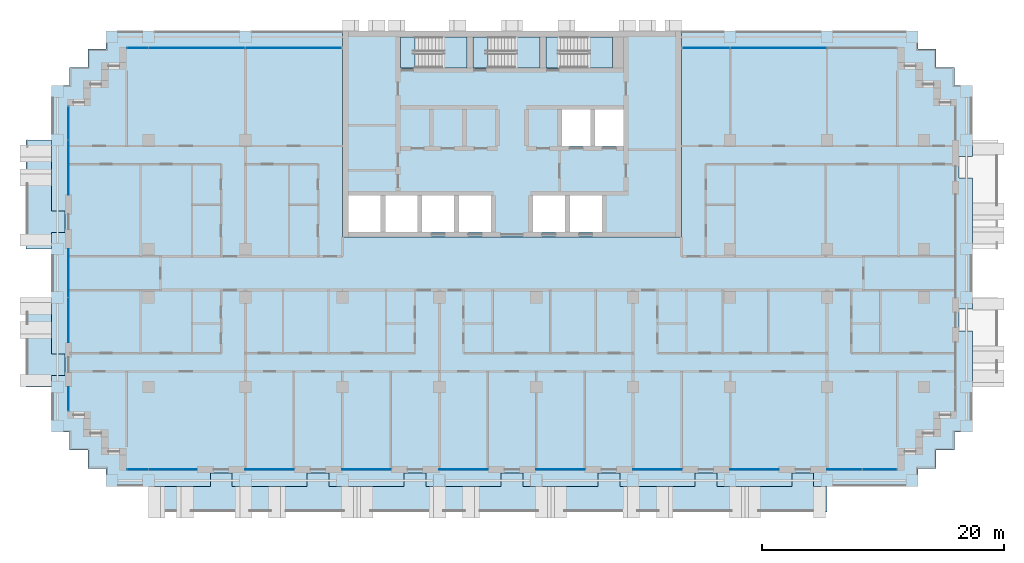
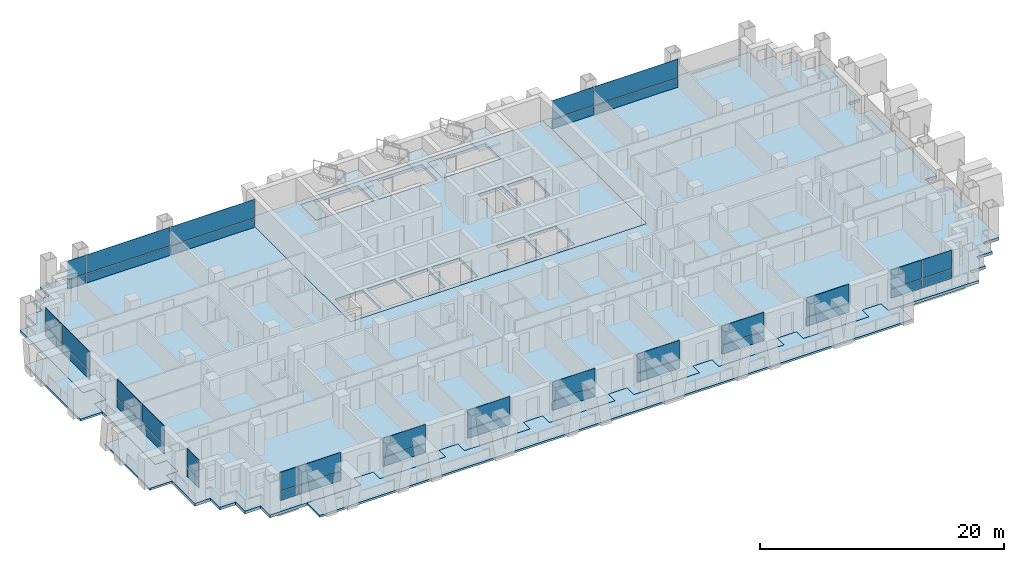
# One storey, part 7 of 19: 40 plates, 11 slabs, 16 elements without a shape of their own.
"""IFC4 building model written with IfcOpenShell, lengths in metres."""

from ifc_helpers import new_model, si_unit, direction, frame, origin, origin_2d, place, context, subcontext, project, spatial, polyline, rectangle, outline, extrude, material, layer, layer_set, type_object, element, aggregate, save


model = new_model("IFC4")

# Units and contexts
model_context = context("Model", 3, precision=1e-05, world=origin(), true_north=direction((0.0, 1.0)))
body_context = subcontext(model_context, "Body", "Model", "MODEL_VIEW")
ifc_project = project(units=[si_unit("LENGTHUNIT", "METRE"), si_unit("AREAUNIT", "SQUARE_METRE"), si_unit("VOLUMEUNIT", "CUBIC_METRE"), si_unit("PLANEANGLEUNIT", "RADIAN"), si_unit("MASSUNIT", "GRAM", prefix="KILO")], contexts=[model_context])

# Site, building, storey
site_placement = place(None, origin())
site = spatial("IfcSite", under=ifc_project, at=site_placement, CompositionType="ELEMENT")
building_placement = place(site_placement, origin())
building = spatial("IfcBuilding", under=site, at=building_placement, Name="Vidyagriha Tower", CompositionType="ELEMENT")
storey_placement = place(building_placement, frame((0.0, 0.0, 60.800048828125)))
storey = spatial("IfcBuildingStorey", under=building, at=storey_placement, Name="L16", CompositionType="ELEMENT", Elevation=60.800048828125)

# Curtain wall, plate
ifc_material_1 = material(Name="Aluminium and glass curtain wall", Category="aluminium")
curtain_wall_type = type_object("IfcCurtainWallType", Name="Dwelling skin unitised curtain wall", PredefinedType="USERDEFINED", material=ifc_material_1)
curtain_wall_1_placement = place(storey_placement, origin())
curtain_wall_1 = element("IfcCurtainWall", 1, at=curtain_wall_1_placement, inside=storey, type_object=curtain_wall_type, Name="CW1 dwelling skin", ObjectType="UNITISED", PredefinedType="USERDEFINED")
ifc_material_2 = material(Name="Glass dark ceramic-fritted spandrel", Category="glass")
ifc_layer_1 = layer(ifc_material_2, 0.0400390625)
ifc_layer_set_1 = layer_set([ifc_layer_1], Name="Glass dark ceramic-fritted spandrel")
plate_type_1 = type_object("IfcPlateType", Name="Ceramic-fritted spandrel panel", PredefinedType="CURTAIN_PANEL", material=ifc_layer_set_1)
plate_1_placement = place(storey_placement, frame((16.017578125, 18.60009765625, 0.0), z_axis=(0.0, 0.0, 1.0), x_axis=(-1.0, 0.0, 0.0)))
plate_1 = element("IfcPlate", 2, at=plate_1_placement, type_object=plate_type_1, Name="CW1 panel 3.1", PredefinedType="CURTAIN_PANEL", context=body_context, shape_type="SweptSolid", body=[
    extrude(rectangle(XDim=3.89501953125, YDim=0.0400390625, at=origin_2d()), origin(), (0.0, 0.0, 1.0), 0.85009765625),
])

# Curtain wall, plates
curtain_wall_2_placement = place(storey_placement, origin())
curtain_wall_2 = element("IfcCurtainWall", 3, at=curtain_wall_2_placement, inside=storey, type_object=curtain_wall_type, Name="CW1 dwelling skin", ObjectType="UNITISED", PredefinedType="USERDEFINED")
plate_2_placement = place(storey_placement, frame((-18.017578125, 18.60009765625, 0.0), z_axis=(0.0, 0.0, 1.0), x_axis=(-1.0, 0.0, 0.0)))
plate_2 = element("IfcPlate", 4, at=plate_2_placement, type_object=plate_type_1, Name="CW1 panel 1.1", PredefinedType="CURTAIN_PANEL", context=body_context, shape_type="SweptSolid", body=[
    extrude(rectangle(XDim=7.89501953125, YDim=0.0400390625, at=origin_2d()), origin(), (0.0, 0.0, 1.0), 0.85009765625),
])
plate_3_placement = place(storey_placement, frame((-30.882568359375, 18.60009765625, 0.0), z_axis=(0.0, 0.0, 1.0), x_axis=(-1.0, 0.0, 0.0)))
plate_3 = element("IfcPlate", 5, at=plate_3_placement, type_object=plate_type_1, Name="CW1 panel 3.1", PredefinedType="CURTAIN_PANEL", context=body_context, shape_type="SweptSolid", body=[
    extrude(rectangle(XDim=1.695068359375, YDim=0.0400390625, at=origin_2d()), origin(), (0.0, 0.0, 1.0), 0.85009765625),
])

curtain_wall_3_placement = place(storey_placement, origin())
curtain_wall_3 = element("IfcCurtainWall", 6, at=curtain_wall_3_placement, inside=storey, type_object=curtain_wall_type, Name="CW1 dwelling skin", ObjectType="UNITISED", PredefinedType="USERDEFINED")
plate_4_placement = place(storey_placement, frame((-36.60009765625, 12.382568359375, 0.0), z_axis=(0.0, 0.0, 1.0), x_axis=(0.0, -1.0, 0.0)))
plate_4 = element("IfcPlate", 7, at=plate_4_placement, type_object=plate_type_1, Name="CW1 panel 1.1", PredefinedType="CURTAIN_PANEL", context=body_context, shape_type="SweptSolid", body=[
    extrude(rectangle(XDim=2.695068359375, YDim=0.0400390625, at=origin_2d()), origin(), (0.0, 0.0, 1.0), 0.85009765625),
])
plate_5_placement = place(storey_placement, frame((-36.60009765625, 8.732421875, 0.0), z_axis=(0.0, 0.0, 1.0), x_axis=(0.0, -1.0, 0.0)))
plate_5 = element("IfcPlate", 8, at=plate_5_placement, type_object=plate_type_1, Name="CW1 panel 2.1", PredefinedType="CURTAIN_PANEL", context=body_context, shape_type="SweptSolid", body=[
    extrude(rectangle(XDim=4.465087890625, YDim=0.0400390625, at=origin_2d()), origin(), (0.0, 0.0, 1.0), 0.85009765625),
])

# Curtain wall, plate
curtain_wall_4_placement = place(storey_placement, origin())
curtain_wall_4 = element("IfcCurtainWall", 9, at=curtain_wall_4_placement, inside=storey, type_object=curtain_wall_type, Name="CW1 dwelling skin", ObjectType="UNITISED", PredefinedType="USERDEFINED")
plate_6_placement = place(storey_placement, frame((-36.60009765625, -10.364990234375, 0.0), z_axis=(0.0, 0.0, 1.0), x_axis=(0.0, -1.0, 0.0)))
plate_6 = element("IfcPlate", 10, at=plate_6_placement, type_object=plate_type_1, Name="CW1 panel 1.1", PredefinedType="CURTAIN_PANEL", context=body_context, shape_type="SweptSolid", body=[
    extrude(rectangle(XDim=1.929931640625, YDim=0.0400390625, at=origin_2d()), origin(), (0.0, 0.0, 1.0), 0.85009765625),
])

# Curtain wall, plates
curtain_wall_5_placement = place(storey_placement, origin())
curtain_wall_5 = element("IfcCurtainWall", 11, at=curtain_wall_5_placement, inside=storey, type_object=curtain_wall_type, Name="CW1 dwelling skin", ObjectType="UNITISED", PredefinedType="USERDEFINED")
plate_7_placement = place(storey_placement, frame((-30.882568359375, -16.199951171875, 0.0)))
plate_7 = element("IfcPlate", 12, at=plate_7_placement, type_object=plate_type_1, Name="CW1 panel 1.1", PredefinedType="CURTAIN_PANEL", context=body_context, shape_type="SweptSolid", body=[
    extrude(rectangle(XDim=1.695068359375, YDim=0.0400390625, at=origin_2d()), origin(), (0.0, 0.0, 1.0), 0.85009765625),
])
plate_8_placement = place(storey_placement, frame((-27.982421875, -16.199951171875, 0.0)))
plate_8 = element("IfcPlate", 13, at=plate_8_placement, type_object=plate_type_1, Name="CW1 panel 2.1", PredefinedType="CURTAIN_PANEL", context=body_context, shape_type="SweptSolid", body=[
    extrude(rectangle(XDim=3.965087890625, YDim=0.0400390625, at=origin_2d()), origin(), (0.0, 0.0, 1.0), 0.85009765625),
])

# Curtain wall, plate
curtain_wall_6_placement = place(storey_placement, origin())
curtain_wall_6 = element("IfcCurtainWall", 14, at=curtain_wall_6_placement, inside=storey, type_object=curtain_wall_type, Name="CW1 dwelling skin", ObjectType="UNITISED", PredefinedType="USERDEFINED")
plate_9_placement = place(storey_placement, frame((-12.0, -16.199951171875, 0.0)))
plate_9 = element("IfcPlate", 15, at=plate_9_placement, type_object=plate_type_1, Name="CW1 panel 1.1", PredefinedType="CURTAIN_PANEL", context=body_context, shape_type="SweptSolid", body=[
    extrude(rectangle(XDim=4.0, YDim=0.0400390625, at=origin_2d()), origin(), (0.0, 0.0, 1.0), 0.85009765625),
])

curtain_wall_7_placement = place(storey_placement, origin())
curtain_wall_7 = element("IfcCurtainWall", 16, at=curtain_wall_7_placement, inside=storey, type_object=curtain_wall_type, Name="CW1 dwelling skin", ObjectType="UNITISED", PredefinedType="USERDEFINED")
plate_10_placement = place(storey_placement, frame((4.0, -16.199951171875, 0.0)))
plate_10 = element("IfcPlate", 17, at=plate_10_placement, type_object=plate_type_1, Name="CW1 panel 1.1", PredefinedType="CURTAIN_PANEL", context=body_context, shape_type="SweptSolid", body=[
    extrude(rectangle(XDim=4.0, YDim=0.0400390625, at=origin_2d()), origin(), (0.0, 0.0, 1.0), 0.85009765625),
])

curtain_wall_8_placement = place(storey_placement, origin())
curtain_wall_8 = element("IfcCurtainWall", 18, at=curtain_wall_8_placement, inside=storey, type_object=curtain_wall_type, Name="CW1 dwelling skin", ObjectType="UNITISED", PredefinedType="USERDEFINED")
plate_11_placement = place(storey_placement, frame((20.0, -16.199951171875, 0.0)))
plate_11 = element("IfcPlate", 19, at=plate_11_placement, type_object=plate_type_1, Name="CW1 panel 1.1", PredefinedType="CURTAIN_PANEL", context=body_context, shape_type="SweptSolid", body=[
    extrude(rectangle(XDim=4.0, YDim=0.0400390625, at=origin_2d()), origin(), (0.0, 0.0, 1.0), 0.85009765625),
])

curtain_wall_9_placement = place(storey_placement, origin())
curtain_wall_9 = element("IfcCurtainWall", 20, at=curtain_wall_9_placement, inside=storey, type_object=curtain_wall_type, Name="CW1 dwelling skin", ObjectType="UNITISED", PredefinedType="USERDEFINED")
plate_12_placement = place(storey_placement, frame((30.33251953125, -16.199951171875, 0.0)))
plate_12 = element("IfcPlate", 21, at=plate_12_placement, type_object=plate_type_1, Name="CW1 panel 2.1", PredefinedType="CURTAIN_PANEL", context=body_context, shape_type="SweptSolid", body=[
    extrude(rectangle(XDim=2.794921875, YDim=0.0400390625, at=origin_2d()), origin(), (0.0, 0.0, 1.0), 0.85009765625),
])

# Slab
ifc_material_3 = material(Name="Concrete C60/75", Category="concrete")
ifc_layer_2 = layer(ifc_material_3, 0.280029296875)
ifc_layer_set_2 = layer_set([ifc_layer_2], Name="Concrete C60/75")
slab_type_1 = type_object("IfcSlabType", Name="Core floor slab 280 mm", PredefinedType="FLOOR", material=ifc_layer_set_2)
slab_1_placement = place(storey_placement, frame((0.0, 0.0, -0.280029296875)))
element("IfcSlab", 22, at=slab_1_placement, inside=storey, type_object=slab_type_1, Name="L16 core floor 1", PredefinedType="FLOOR", context=body_context, shape_type="SweptSolid", body=[
    extrude(outline(polyline([(-14.0, 3.0), (-14.0, 20.0), (14.0, 20.0), (14.0, 3.0), (-14.0, 3.0)]), holes=[polyline([(9.199951171875, 13.5), (6.86669921875, 13.5), (6.86669921875, 10.5), (9.199951171875, 10.5), (9.199951171875, 13.5)]), polyline([(4.0, 19.5), (2.800048828125, 19.5), (2.800048828125, 16.949951171875), (4.0, 16.949951171875), (8.300048828125, 16.949951171875), (8.300048828125, 19.5), (4.0, 19.5)]), polyline([(7.4111328125, 6.39990234375), (4.7666015625, 6.39990234375), (4.7666015625, 3.39990234375), (7.4111328125, 3.39990234375), (7.4111328125, 6.39990234375)]), polyline([(6.466796875, 13.5), (4.13330078125, 13.5), (4.13330078125, 10.5), (6.466796875, 10.5), (6.466796875, 13.5)]), polyline([(1.72216796875, 6.39990234375), (1.72216796875, 3.39990234375), (4.36669921875, 3.39990234375), (4.36669921875, 6.39990234375), (1.72216796875, 6.39990234375)]), polyline([(-2.0, 16.949951171875), (2.300048828125, 16.949951171875), (2.300048828125, 19.5), (-2.0, 19.5), (-3.199951171875, 19.5), (-3.199951171875, 16.949951171875), (-2.0, 16.949951171875)]), polyline([(-1.72216796875, 6.39990234375), (-4.36669921875, 6.39990234375), (-4.36669921875, 3.39990234375), (-1.72216796875, 3.39990234375), (-1.72216796875, 6.39990234375)]), polyline([(-8.0, 19.5), (-9.199951171875, 19.5), (-9.199951171875, 16.949951171875), (-8.0, 16.949951171875), (-3.699951171875, 16.949951171875), (-3.699951171875, 19.5), (-8.0, 19.5)]), polyline([(-4.7666015625, 6.39990234375), (-7.4111328125, 6.39990234375), (-7.4111328125, 3.39990234375), (-4.7666015625, 3.39990234375), (-4.7666015625, 6.39990234375)]), polyline([(-7.81103515625, 6.39990234375), (-10.45556640625, 6.39990234375), (-10.45556640625, 3.39990234375), (-7.81103515625, 3.39990234375), (-7.81103515625, 6.39990234375)]), polyline([(-13.5, 6.39990234375), (-13.5, 3.39990234375), (-10.855712890625, 3.39990234375), (-10.855712890625, 6.39990234375), (-13.5, 6.39990234375)])]), origin(), (0.0, 0.0, 1.0), 0.280029296875),
])

# Plate
ifc_material_4 = material(Name="Glass dark ceramic-fritted", Category="glass")
ifc_layer_3 = layer(ifc_material_4, 0.028076171875)
ifc_layer_set_3 = layer_set([ifc_layer_3], Name="Glass dark ceramic-fritted")
plate_type_2 = type_object("IfcPlateType", Name="Dark ceramic-fritted vision glass panel", PredefinedType="CURTAIN_PANEL", material=ifc_layer_set_3)
plate_13_placement = place(storey_placement, frame((22.0, 18.60009765625, 0.949951171875), z_axis=(0.0, 0.0, 1.0), x_axis=(-1.0, 0.0, 0.0)))
plate_13 = element("IfcPlate", 23, at=plate_13_placement, type_object=plate_type_2, Name="CW1 panel 2.2", PredefinedType="CURTAIN_PANEL", context=body_context, shape_type="SweptSolid", body=[
    extrude(rectangle(XDim=7.929931640625, YDim=0.028076171875, at=origin_2d()), origin(), (0.0, 0.0, 1.0), 1.85009765625),
])

plate_14_placement = place(storey_placement, frame((16.017578125, 18.60009765625, 0.949951171875), z_axis=(0.0, 0.0, 1.0), x_axis=(-1.0, 0.0, 0.0)))
plate_14 = element("IfcPlate", 24, at=plate_14_placement, type_object=plate_type_2, Name="CW1 panel 3.2", PredefinedType="CURTAIN_PANEL", context=body_context, shape_type="SweptSolid", body=[
    extrude(rectangle(XDim=3.89501953125, YDim=0.028076171875, at=origin_2d()), origin(), (0.0, 0.0, 1.0), 1.85009765625),
])

plate_15_placement = place(storey_placement, frame((-18.017578125, 18.60009765625, 0.949951171875), z_axis=(0.0, 0.0, 1.0), x_axis=(-1.0, 0.0, 0.0)))
plate_15 = element("IfcPlate", 25, at=plate_15_placement, type_object=plate_type_2, Name="CW1 panel 1.2", PredefinedType="CURTAIN_PANEL", context=body_context, shape_type="SweptSolid", body=[
    extrude(rectangle(XDim=7.89501953125, YDim=0.028076171875, at=origin_2d()), origin(), (0.0, 0.0, 1.0), 1.85009765625),
])

plate_16_placement = place(storey_placement, frame((-26.0, 18.60009765625, 0.949951171875), z_axis=(0.0, 0.0, 1.0), x_axis=(-1.0, 0.0, 0.0)))
plate_16 = element("IfcPlate", 26, at=plate_16_placement, type_object=plate_type_2, Name="CW1 panel 2.2", PredefinedType="CURTAIN_PANEL", context=body_context, shape_type="SweptSolid", body=[
    extrude(rectangle(XDim=7.929931640625, YDim=0.028076171875, at=origin_2d()), origin(), (0.0, 0.0, 1.0), 1.85009765625),
])

plate_17_placement = place(storey_placement, frame((-30.882568359375, 18.60009765625, 0.949951171875), z_axis=(0.0, 0.0, 1.0), x_axis=(-1.0, 0.0, 0.0)))
plate_17 = element("IfcPlate", 27, at=plate_17_placement, type_object=plate_type_2, Name="CW1 panel 3.2", PredefinedType="CURTAIN_PANEL", context=body_context, shape_type="SweptSolid", body=[
    extrude(rectangle(XDim=1.695068359375, YDim=0.028076171875, at=origin_2d()), origin(), (0.0, 0.0, 1.0), 1.85009765625),
])

plate_18_placement = place(storey_placement, frame((-36.60009765625, 12.382568359375, 0.949951171875), z_axis=(0.0, 0.0, 1.0), x_axis=(0.0, -1.0, 0.0)))
plate_18 = element("IfcPlate", 28, at=plate_18_placement, type_object=plate_type_2, Name="CW1 panel 1.2", PredefinedType="CURTAIN_PANEL", context=body_context, shape_type="SweptSolid", body=[
    extrude(rectangle(XDim=2.695068359375, YDim=0.028076171875, at=origin_2d()), origin(), (0.0, 0.0, 1.0), 1.85009765625),
])

plate_19_placement = place(storey_placement, frame((-36.60009765625, 8.732421875, 0.949951171875), z_axis=(0.0, 0.0, 1.0), x_axis=(0.0, -1.0, 0.0)))
plate_19 = element("IfcPlate", 29, at=plate_19_placement, type_object=plate_type_2, Name="CW1 panel 2.2", PredefinedType="CURTAIN_PANEL", context=body_context, shape_type="SweptSolid", body=[
    extrude(rectangle(XDim=4.465087890625, YDim=0.028076171875, at=origin_2d()), origin(), (0.0, 0.0, 1.0), 1.85009765625),
])

aggregate(curtain_wall_3, [plate_4, plate_18, plate_5, plate_19])

# Curtain wall, plates
curtain_wall_10_placement = place(storey_placement, origin())
curtain_wall_10 = element("IfcCurtainWall", 30, at=curtain_wall_10_placement, inside=storey, type_object=curtain_wall_type, Name="CW1 dwelling skin", ObjectType="UNITISED", PredefinedType="USERDEFINED")
plate_20_placement = place(storey_placement, frame((-36.60009765625, 0.017578125, 0.949951171875), z_axis=(0.0, 0.0, 1.0), x_axis=(0.0, -1.0, 0.0)))
plate_20 = element("IfcPlate", 31, at=plate_20_placement, type_object=plate_type_2, Name="CW1 panel 1.2", PredefinedType="CURTAIN_PANEL", context=body_context, shape_type="SweptSolid", body=[
    extrude(rectangle(XDim=3.965087890625, YDim=0.028076171875, at=origin_2d()), origin(), (0.0, 0.0, 1.0), 1.85009765625),
])
plate_21_placement = place(storey_placement, frame((-36.60009765625, -3.867431640625, 0.949951171875), z_axis=(0.0, 0.0, 1.0), x_axis=(0.0, -1.0, 0.0)))
plate_21 = element("IfcPlate", 32, at=plate_21_placement, type_object=plate_type_2, Name="CW1 panel 2.2", PredefinedType="CURTAIN_PANEL", context=body_context, shape_type="SweptSolid", body=[
    extrude(rectangle(XDim=3.6650390625, YDim=0.028076171875, at=origin_2d()), origin(), (0.0, 0.0, 1.0), 1.85009765625),
])

# Plate
plate_22_placement = place(storey_placement, frame((-36.60009765625, -10.364990234375, 0.949951171875), z_axis=(0.0, 0.0, 1.0), x_axis=(0.0, -1.0, 0.0)))
plate_22 = element("IfcPlate", 33, at=plate_22_placement, type_object=plate_type_2, Name="CW1 panel 1.2", PredefinedType="CURTAIN_PANEL", context=body_context, shape_type="SweptSolid", body=[
    extrude(rectangle(XDim=1.929931640625, YDim=0.028076171875, at=origin_2d()), origin(), (0.0, 0.0, 1.0), 1.85009765625),
])

aggregate(curtain_wall_4, [plate_6, plate_22])

plate_23_placement = place(storey_placement, frame((-30.882568359375, -16.199951171875, 0.949951171875)))
plate_23 = element("IfcPlate", 34, at=plate_23_placement, type_object=plate_type_2, Name="CW1 panel 1.2", PredefinedType="CURTAIN_PANEL", context=body_context, shape_type="SweptSolid", body=[
    extrude(rectangle(XDim=1.695068359375, YDim=0.028076171875, at=origin_2d()), origin(), (0.0, 0.0, 1.0), 1.85009765625),
])

plate_24_placement = place(storey_placement, frame((-27.982421875, -16.199951171875, 0.949951171875)))
plate_24 = element("IfcPlate", 35, at=plate_24_placement, type_object=plate_type_2, Name="CW1 panel 2.2", PredefinedType="CURTAIN_PANEL", context=body_context, shape_type="SweptSolid", body=[
    extrude(rectangle(XDim=3.965087890625, YDim=0.028076171875, at=origin_2d()), origin(), (0.0, 0.0, 1.0), 1.85009765625),
])

aggregate(curtain_wall_5, [plate_7, plate_23, plate_8, plate_24])

# Curtain wall, plate
curtain_wall_11_placement = place(storey_placement, origin())
curtain_wall_11 = element("IfcCurtainWall", 36, at=curtain_wall_11_placement, inside=storey, type_object=curtain_wall_type, Name="CW1 dwelling skin", ObjectType="UNITISED", PredefinedType="USERDEFINED")
plate_25_placement = place(storey_placement, frame((-20.0, -16.199951171875, 0.949951171875)))
plate_25 = element("IfcPlate", 37, at=plate_25_placement, type_object=plate_type_2, Name="CW1 panel 1.2", PredefinedType="CURTAIN_PANEL", context=body_context, shape_type="SweptSolid", body=[
    extrude(rectangle(XDim=4.0, YDim=0.028076171875, at=origin_2d()), origin(), (0.0, 0.0, 1.0), 1.85009765625),
])

# Plate
plate_26_placement = place(storey_placement, frame((-12.0, -16.199951171875, 0.949951171875)))
plate_26 = element("IfcPlate", 38, at=plate_26_placement, type_object=plate_type_2, Name="CW1 panel 1.2", PredefinedType="CURTAIN_PANEL", context=body_context, shape_type="SweptSolid", body=[
    extrude(rectangle(XDim=4.0, YDim=0.028076171875, at=origin_2d()), origin(), (0.0, 0.0, 1.0), 1.85009765625),
])

aggregate(curtain_wall_6, [plate_9, plate_26])

# Curtain wall, plate
curtain_wall_12_placement = place(storey_placement, origin())
curtain_wall_12 = element("IfcCurtainWall", 39, at=curtain_wall_12_placement, inside=storey, type_object=curtain_wall_type, Name="CW1 dwelling skin", ObjectType="UNITISED", PredefinedType="USERDEFINED")
plate_27_placement = place(storey_placement, frame((-4.0, -16.199951171875, 0.949951171875)))
plate_27 = element("IfcPlate", 40, at=plate_27_placement, type_object=plate_type_2, Name="CW1 panel 1.2", PredefinedType="CURTAIN_PANEL", context=body_context, shape_type="SweptSolid", body=[
    extrude(rectangle(XDim=4.0, YDim=0.028076171875, at=origin_2d()), origin(), (0.0, 0.0, 1.0), 1.85009765625),
])

# Plate
plate_28_placement = place(storey_placement, frame((4.0, -16.199951171875, 0.949951171875)))
plate_28 = element("IfcPlate", 41, at=plate_28_placement, type_object=plate_type_2, Name="CW1 panel 1.2", PredefinedType="CURTAIN_PANEL", context=body_context, shape_type="SweptSolid", body=[
    extrude(rectangle(XDim=4.0, YDim=0.028076171875, at=origin_2d()), origin(), (0.0, 0.0, 1.0), 1.85009765625),
])

aggregate(curtain_wall_7, [plate_10, plate_28])

# Curtain wall, plate
curtain_wall_13_placement = place(storey_placement, origin())
curtain_wall_13 = element("IfcCurtainWall", 42, at=curtain_wall_13_placement, inside=storey, type_object=curtain_wall_type, Name="CW1 dwelling skin", ObjectType="UNITISED", PredefinedType="USERDEFINED")
plate_29_placement = place(storey_placement, frame((12.0, -16.199951171875, 0.949951171875)))
plate_29 = element("IfcPlate", 43, at=plate_29_placement, type_object=plate_type_2, Name="CW1 panel 1.2", PredefinedType="CURTAIN_PANEL", context=body_context, shape_type="SweptSolid", body=[
    extrude(rectangle(XDim=4.0, YDim=0.028076171875, at=origin_2d()), origin(), (0.0, 0.0, 1.0), 1.85009765625),
])

# Plate
plate_30_placement = place(storey_placement, frame((20.0, -16.199951171875, 0.949951171875)))
plate_30 = element("IfcPlate", 44, at=plate_30_placement, type_object=plate_type_2, Name="CW1 panel 1.2", PredefinedType="CURTAIN_PANEL", context=body_context, shape_type="SweptSolid", body=[
    extrude(rectangle(XDim=4.0, YDim=0.028076171875, at=origin_2d()), origin(), (0.0, 0.0, 1.0), 1.85009765625),
])

aggregate(curtain_wall_8, [plate_11, plate_30])

plate_31_placement = place(storey_placement, frame((27.4326171875, -16.199951171875, 0.949951171875)))
plate_31 = element("IfcPlate", 45, at=plate_31_placement, type_object=plate_type_2, Name="CW1 panel 1.2", PredefinedType="CURTAIN_PANEL", context=body_context, shape_type="SweptSolid", body=[
    extrude(rectangle(XDim=2.864990234375, YDim=0.028076171875, at=origin_2d()), origin(), (0.0, 0.0, 1.0), 1.85009765625),
])

plate_32_placement = place(storey_placement, frame((30.33251953125, -16.199951171875, 0.949951171875)))
plate_32 = element("IfcPlate", 46, at=plate_32_placement, type_object=plate_type_2, Name="CW1 panel 2.2", PredefinedType="CURTAIN_PANEL", context=body_context, shape_type="SweptSolid", body=[
    extrude(rectangle(XDim=2.794921875, YDim=0.028076171875, at=origin_2d()), origin(), (0.0, 0.0, 1.0), 1.85009765625),
])

# Slabs
ifc_material_5 = material(Name="Concrete C40/50", Category="concrete")
ifc_layer_4 = layer(ifc_material_5, 0.280029296875)
ifc_layer_set_4 = layer_set([ifc_layer_4], Name="Concrete C40/50")
slab_type_2 = type_object("IfcSlabType", Name="Exit stair floor landing 280 mm", PredefinedType="LANDING", material=ifc_layer_set_4)
slab_2_placement = place(storey_placement, frame((0.0, 0.0, -0.280029296875)))
element("IfcSlab", 47, at=slab_2_placement, inside=storey, type_object=slab_type_2, Name="ST1 floor landing L16", PredefinedType="LANDING", context=body_context, shape_type="SweptSolid", body=[
    extrude(outline(polyline([(-9.199951171875, 16.949951171875), (-8.0, 16.949951171875), (-8.0, 19.5), (-9.199951171875, 19.5), (-9.199951171875, 16.949951171875)])), origin(), (0.0, 0.0, 1.0), 0.280029296875),
])
slab_3_placement = place(storey_placement, frame((0.0, 0.0, -0.280029296875)))
element("IfcSlab", 48, at=slab_3_placement, inside=storey, type_object=slab_type_2, Name="ST2 floor landing L16", PredefinedType="LANDING", context=body_context, shape_type="SweptSolid", body=[
    extrude(outline(polyline([(-3.199951171875, 16.949951171875), (-2.0, 16.949951171875), (-2.0, 19.5), (-3.199951171875, 19.5), (-3.199951171875, 16.949951171875)])), origin(), (0.0, 0.0, 1.0), 0.280029296875),
])
slab_4_placement = place(storey_placement, frame((0.0, 0.0, -0.280029296875)))
element("IfcSlab", 49, at=slab_4_placement, inside=storey, type_object=slab_type_2, Name="ST3 floor landing L16", PredefinedType="LANDING", context=body_context, shape_type="SweptSolid", body=[
    extrude(outline(polyline([(2.800048828125, 16.949951171875), (4.0, 16.949951171875), (4.0, 19.5), (2.800048828125, 19.5), (2.800048828125, 16.949951171875)])), origin(), (0.0, 0.0, 1.0), 0.280029296875),
])

# Stair, slab
ifc_material_6 = material(Name="Concrete C40/50", Category="concrete")
stair_type = type_object("IfcStairType", Name="Exit stair, half-turn, precast flights", PredefinedType="HALF_TURN_STAIR", material=ifc_material_6)
stair_1_placement = place(storey_placement, origin())
stair_1 = element("IfcStair", 50, at=stair_1_placement, inside=storey, type_object=stair_type, Name="L16 Exit Stair ST1", PredefinedType="HALF_TURN_STAIR")
ifc_material_7 = material(Name="Concrete C40/50", Category="concrete")
ifc_layer_5 = layer(ifc_material_7, 0.199951171875)
ifc_layer_set_5 = layer_set([ifc_layer_5], Name="Concrete C40/50")
slab_type_3 = type_object("IfcSlabType", Name="Exit stair landing 200 mm", PredefinedType="LANDING", material=ifc_layer_set_5)
slab_5_placement = place(storey_placement, frame((0.0, 0.0, 1.39990234375)))
slab_5 = element("IfcSlab", 51, at=slab_5_placement, type_object=slab_type_3, Name="ST1 landing 1", PredefinedType="LANDING", context=body_context, shape_type="SweptSolid", body=[
    extrude(outline(polyline([(-5.760009765625, 16.949951171875), (-3.699951171875, 16.949951171875), (-3.699951171875, 19.5), (-5.760009765625, 19.5), (-5.760009765625, 16.949951171875)])), origin(), (0.0, 0.0, 1.0), 0.199951171875),
])
aggregate(stair_1, [slab_5])

stair_2_placement = place(storey_placement, origin())
stair_2 = element("IfcStair", 52, at=stair_2_placement, inside=storey, type_object=stair_type, Name="L16 Exit Stair ST2", PredefinedType="HALF_TURN_STAIR")
slab_6_placement = place(storey_placement, frame((0.0, 0.0, 1.39990234375)))
slab_6 = element("IfcSlab", 53, at=slab_6_placement, type_object=slab_type_3, Name="ST2 landing 1", PredefinedType="LANDING", context=body_context, shape_type="SweptSolid", body=[
    extrude(outline(polyline([(0.239990234375, 16.949951171875), (2.300048828125, 16.949951171875), (2.300048828125, 19.5), (0.239990234375, 19.5), (0.239990234375, 16.949951171875)])), origin(), (0.0, 0.0, 1.0), 0.199951171875),
])
aggregate(stair_2, [slab_6])

stair_3_placement = place(storey_placement, origin())
stair_3 = element("IfcStair", 54, at=stair_3_placement, inside=storey, type_object=stair_type, Name="L16 Exit Stair ST3", PredefinedType="HALF_TURN_STAIR")
slab_7_placement = place(storey_placement, frame((0.0, 0.0, 1.39990234375)))
slab_7 = element("IfcSlab", 55, at=slab_7_placement, type_object=slab_type_3, Name="ST3 landing 1", PredefinedType="LANDING", context=body_context, shape_type="SweptSolid", body=[
    extrude(outline(polyline([(6.239990234375, 16.949951171875), (8.300048828125, 16.949951171875), (8.300048828125, 19.5), (6.239990234375, 19.5), (6.239990234375, 16.949951171875)])), origin(), (0.0, 0.0, 1.0), 0.199951171875),
])
aggregate(stair_3, [slab_7])

# Plate
ifc_material_8 = material(Name="Aluminium black anodised", Category="aluminium")
ifc_layer_6 = layer(ifc_material_8, 0.06005859375)
ifc_layer_set_6 = layer_set([ifc_layer_6], Name="Aluminium black anodised")
plate_type_3 = type_object("IfcPlateType", Name="Operable black-metal vent panel", PredefinedType="CURTAIN_PANEL", material=ifc_layer_set_6)
plate_33_placement = place(storey_placement, frame((22.0, 18.60009765625, 0.0), z_axis=(0.0, 0.0, 1.0), x_axis=(-1.0, 0.0, 0.0)))
plate_33 = element("IfcPlate", 56, at=plate_33_placement, type_object=plate_type_3, Name="CW1 panel 2.1", PredefinedType="CURTAIN_PANEL", context=body_context, shape_type="SweptSolid", body=[
    extrude(rectangle(XDim=7.929931640625, YDim=0.06005859375, at=origin_2d()), origin(), (0.0, 0.0, 1.0), 0.85009765625),
])

aggregate(curtain_wall_1, [plate_33, plate_13, plate_1, plate_14])

plate_34_placement = place(storey_placement, frame((-26.0, 18.60009765625, 0.0), z_axis=(0.0, 0.0, 1.0), x_axis=(-1.0, 0.0, 0.0)))
plate_34 = element("IfcPlate", 57, at=plate_34_placement, type_object=plate_type_3, Name="CW1 panel 2.1", PredefinedType="CURTAIN_PANEL", context=body_context, shape_type="SweptSolid", body=[
    extrude(rectangle(XDim=7.929931640625, YDim=0.06005859375, at=origin_2d()), origin(), (0.0, 0.0, 1.0), 0.85009765625),
])

aggregate(curtain_wall_2, [plate_2, plate_15, plate_34, plate_16, plate_3, plate_17])

plate_35_placement = place(storey_placement, frame((-36.60009765625, 0.017578125, 0.0), z_axis=(0.0, 0.0, 1.0), x_axis=(0.0, -1.0, 0.0)))
plate_35 = element("IfcPlate", 58, at=plate_35_placement, type_object=plate_type_3, Name="CW1 panel 1.1", PredefinedType="CURTAIN_PANEL", context=body_context, shape_type="SweptSolid", body=[
    extrude(rectangle(XDim=3.965087890625, YDim=0.06005859375, at=origin_2d()), origin(), (0.0, 0.0, 1.0), 0.85009765625),
])

plate_36_placement = place(storey_placement, frame((-36.60009765625, -3.867431640625, 0.0), z_axis=(0.0, 0.0, 1.0), x_axis=(0.0, -1.0, 0.0)))
plate_36 = element("IfcPlate", 59, at=plate_36_placement, type_object=plate_type_3, Name="CW1 panel 2.1", PredefinedType="CURTAIN_PANEL", context=body_context, shape_type="SweptSolid", body=[
    extrude(rectangle(XDim=3.6650390625, YDim=0.06005859375, at=origin_2d()), origin(), (0.0, 0.0, 1.0), 0.85009765625),
])

aggregate(curtain_wall_10, [plate_35, plate_20, plate_36, plate_21])

plate_37_placement = place(storey_placement, frame((-20.0, -16.199951171875, 0.0)))
plate_37 = element("IfcPlate", 60, at=plate_37_placement, type_object=plate_type_3, Name="CW1 panel 1.1", PredefinedType="CURTAIN_PANEL", context=body_context, shape_type="SweptSolid", body=[
    extrude(rectangle(XDim=4.0, YDim=0.06005859375, at=origin_2d()), origin(), (0.0, 0.0, 1.0), 0.85009765625),
])

aggregate(curtain_wall_11, [plate_37, plate_25])

plate_38_placement = place(storey_placement, frame((-4.0, -16.199951171875, 0.0)))
plate_38 = element("IfcPlate", 61, at=plate_38_placement, type_object=plate_type_3, Name="CW1 panel 1.1", PredefinedType="CURTAIN_PANEL", context=body_context, shape_type="SweptSolid", body=[
    extrude(rectangle(XDim=4.0, YDim=0.06005859375, at=origin_2d()), origin(), (0.0, 0.0, 1.0), 0.85009765625),
])

aggregate(curtain_wall_12, [plate_38, plate_27])

plate_39_placement = place(storey_placement, frame((12.0, -16.199951171875, 0.0)))
plate_39 = element("IfcPlate", 62, at=plate_39_placement, type_object=plate_type_3, Name="CW1 panel 1.1", PredefinedType="CURTAIN_PANEL", context=body_context, shape_type="SweptSolid", body=[
    extrude(rectangle(XDim=4.0, YDim=0.06005859375, at=origin_2d()), origin(), (0.0, 0.0, 1.0), 0.85009765625),
])

aggregate(curtain_wall_13, [plate_39, plate_29])

plate_40_placement = place(storey_placement, frame((27.4326171875, -16.199951171875, 0.0)))
plate_40 = element("IfcPlate", 63, at=plate_40_placement, type_object=plate_type_3, Name="CW1 panel 1.1", PredefinedType="CURTAIN_PANEL", context=body_context, shape_type="SweptSolid", body=[
    extrude(rectangle(XDim=2.864990234375, YDim=0.06005859375, at=origin_2d()), origin(), (0.0, 0.0, 1.0), 0.85009765625),
])

aggregate(curtain_wall_9, [plate_40, plate_31, plate_12, plate_32])

# Slabs
ifc_material_9 = material(Name="Concrete C50/60", Category="concrete")
ifc_layer_7 = layer(ifc_material_9, 0.280029296875)
ifc_layer_set_7 = layer_set([ifc_layer_7], Name="Concrete C50/60")
slab_type_4 = type_object("IfcSlabType", Name="Post-tensioned flat plate 280", PredefinedType="FLOOR", material=ifc_layer_set_7)
slab_8_placement = place(storey_placement, frame((0.0, 0.0, -0.280029296875)))
element("IfcSlab", 64, at=slab_8_placement, inside=storey, type_object=slab_type_4, Name="st-slab-L16-1", PredefinedType="FLOOR", context=body_context, shape_type="SweptSolid", body=[
    extrude(outline(polyline([(36.5, -14.60009765625), (35.0, -14.60009765625), (35.0, -16.10009765625), (33.5, -16.10009765625), (33.5, -17.60009765625), (24.89990234375, -17.60009765625), (24.89990234375, -16.5), (23.10009765625, -16.5), (23.10009765625, -17.60009765625), (16.89990234375, -17.60009765625), (16.89990234375, -16.5), (15.10009765625, -16.5), (15.10009765625, -17.60009765625), (8.89990234375, -17.60009765625), (8.89990234375, -16.5), (7.10009765625, -16.5), (7.10009765625, -17.60009765625), (0.89990234375, -17.60009765625), (0.89990234375, -16.5), (-0.89990234375, -16.5), (-0.89990234375, -17.60009765625), (-7.10009765625, -17.60009765625), (-7.10009765625, -16.5), (-8.89990234375, -16.5), (-8.89990234375, -17.60009765625), (-15.10009765625, -17.60009765625), (-15.10009765625, -16.5), (-16.89990234375, -16.5), (-16.89990234375, -17.60009765625), (-23.10009765625, -17.60009765625), (-23.10009765625, -16.5), (-24.89990234375, -16.5), (-24.89990234375, -17.60009765625), (-33.5, -17.60009765625), (-33.5, -16.10009765625), (-35.0, -16.10009765625), (-35.0, -14.60009765625), (-36.5, -14.60009765625), (-36.5, -13.10009765625), (-38.0, -13.10009765625), (-38.0, -8.449951171875), (-36.89990234375, -8.449951171875), (-36.89990234375, -6.64990234375), (-38.0, -6.64990234375), (-38.0, 3.35009765625), (-36.89990234375, 3.35009765625), (-36.89990234375, 5.14990234375), (-38.0, 5.14990234375), (-38.0, 15.5), (-36.5, 15.5), (-36.5, 17.0), (-35.0, 17.0), (-35.0, 18.5), (-33.5, 18.5), (-33.5, 20.0), (-14.0, 20.0), (-14.0, 3.0), (14.0, 3.0), (14.0, 20.0), (33.5, 20.0), (33.5, 18.5), (35.0, 18.5), (35.0, 17.0), (36.5, 17.0), (36.5, 15.5), (38.0, 15.5), (38.0, 9.64990234375), (36.89990234375, 9.64990234375), (36.89990234375, 7.85009765625), (38.0, 7.85009765625), (38.0, -2.949951171875), (36.89990234375, -2.949951171875), (36.89990234375, -4.75), (38.0, -4.75), (38.0, -13.10009765625), (36.5, -13.10009765625), (36.5, -14.60009765625)])), origin(), (0.0, 0.0, 1.0), 0.280029296875),
])
ifc_material_10 = material(Name="Precast concrete C40/50", Category="concrete")
ifc_layer_8 = layer(ifc_material_10, 0.199951171875)
ifc_layer_set_8 = layer_set([ifc_layer_8], Name="Precast concrete C40/50")
slab_type_5 = type_object("IfcSlabType", Name="Precast balcony slab 200", PredefinedType="USERDEFINED", material=ifc_layer_set_8)
slab_9_placement = place(storey_placement, frame((0.0, 0.0, -0.199951171875)))
element("IfcSlab", 65, at=slab_9_placement, inside=storey, type_object=slab_type_5, Name="Balcony slab L16 R16.1-1", ObjectType="BALCONY", PredefinedType="USERDEFINED", context=body_context, shape_type="SweptSolid", body=[
    extrude(outline(polyline([(-36.89990234375, 3.35009765625), (-36.89990234375, 5.14990234375), (-38.0, 5.14990234375), (-38.0, 11.0), (-40.10009765625, 11.0), (-40.10009765625, 2.0), (-38.0, 2.0), (-38.0, 3.35009765625), (-36.89990234375, 3.35009765625)])), origin(), (0.0, 0.0, 1.0), 0.199951171875),
])
slab_10_placement = place(storey_placement, frame((0.0, 0.0, -0.199951171875)))
element("IfcSlab", 66, at=slab_10_placement, inside=storey, type_object=slab_type_5, Name="Balcony slab L16 R16.2-2", ObjectType="BALCONY", PredefinedType="USERDEFINED", context=body_context, shape_type="SweptSolid", body=[
    extrude(outline(polyline([(-36.89990234375, -8.449951171875), (-36.89990234375, -6.64990234375), (-38.0, -6.64990234375), (-38.0, -2.0), (-40.10009765625, -2.0), (-40.10009765625, -9.39990234375), (-38.0, -9.39990234375), (-38.0, -8.449951171875), (-36.89990234375, -8.449951171875)])), origin(), (0.0, 0.0, 1.0), 0.199951171875),
])
slab_11_placement = place(storey_placement, frame((0.0, 0.0, -0.199951171875)))
element("IfcSlab", 67, at=slab_11_placement, inside=storey, type_object=slab_type_5, Name="Balcony slab L16 R23.1-7", ObjectType="BALCONY", PredefinedType="USERDEFINED", context=body_context, shape_type="SweptSolid", body=[
    extrude(outline(polyline([(-23.10009765625, -16.5), (-24.89990234375, -16.5), (-24.89990234375, -17.60009765625), (-30.0, -17.60009765625), (-30.0, -19.699951171875), (26.0, -19.699951171875), (26.0, -17.60009765625), (24.89990234375, -17.60009765625), (24.89990234375, -16.5), (23.10009765625, -16.5), (23.10009765625, -17.60009765625), (16.89990234375, -17.60009765625), (16.89990234375, -16.5), (15.10009765625, -16.5), (15.10009765625, -17.60009765625), (8.89990234375, -17.60009765625), (8.89990234375, -16.5), (7.10009765625, -16.5), (7.10009765625, -17.60009765625), (0.89990234375, -17.60009765625), (0.89990234375, -16.5), (-0.89990234375, -16.5), (-0.89990234375, -17.60009765625), (-7.10009765625, -17.60009765625), (-7.10009765625, -16.5), (-8.89990234375, -16.5), (-8.89990234375, -17.60009765625), (-15.10009765625, -17.60009765625), (-15.10009765625, -16.5), (-16.89990234375, -16.5), (-16.89990234375, -17.60009765625), (-23.10009765625, -17.60009765625), (-23.10009765625, -16.5)])), origin(), (0.0, 0.0, 1.0), 0.199951171875),
])

save(model, "model.ifc")
